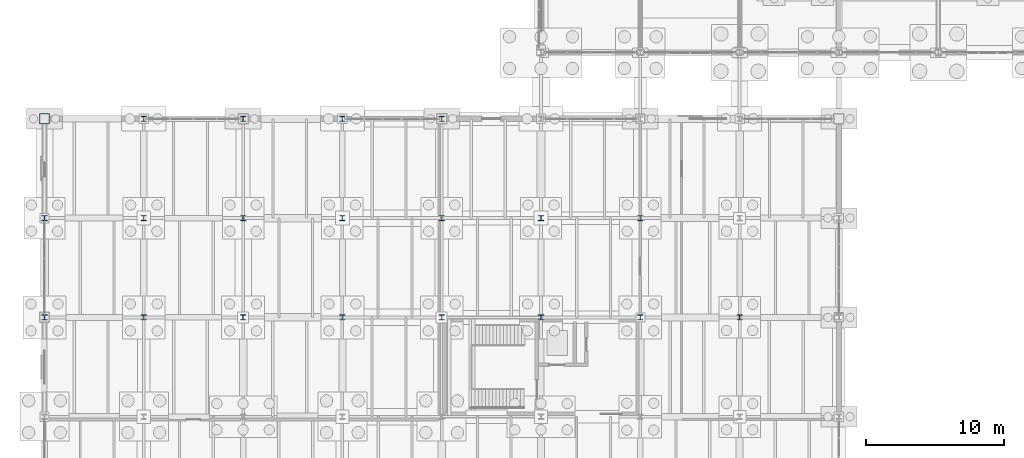
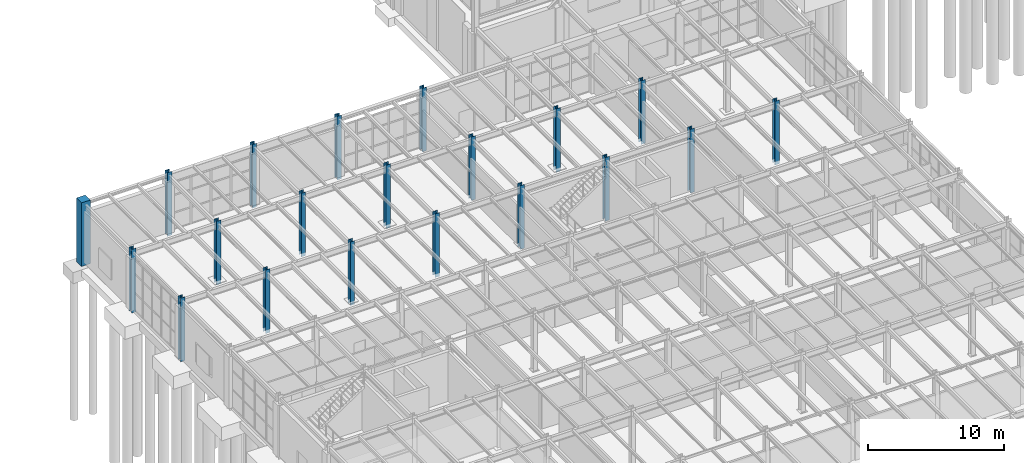
# One storey, part 22 of 293: 20 columns.
"""IFC4 building model written with IfcOpenShell, lengths in metres."""

from ifc_helpers import new_model, si_unit, direction, frame, origin, origin_2d, place, context, subcontext, project, spatial, rectangle, i_section, extrude, material, material_profile, profile_set, type_object, element, save


model = new_model("IFC4")

# Units and contexts
model_context = context("Model", 3, precision=1e-05, world=origin(), true_north=direction((0.0, 1.0)))
body_context = subcontext(model_context, "Body", "Model", "MODEL_VIEW")
ifc_project = project(units=[si_unit("LENGTHUNIT", "METRE"), si_unit("AREAUNIT", "SQUARE_METRE"), si_unit("VOLUMEUNIT", "CUBIC_METRE"), si_unit("PLANEANGLEUNIT", "RADIAN"), si_unit("MASSUNIT", "GRAM", prefix="KILO")], contexts=[model_context])

# Site, building, storey
site_placement = place(None, origin())
site = spatial("IfcSite", under=ifc_project, at=site_placement, CompositionType="ELEMENT")
building_placement = place(site_placement, origin())
building = spatial("IfcBuilding", under=site, at=building_placement, Name="Kemerveld Promenade Tramway Depot", CompositionType="ELEMENT")
storey_placement = place(building_placement, origin())
storey = spatial("IfcBuildingStorey", under=building, at=storey_placement, Name="L00", CompositionType="ELEMENT", Elevation=0.0)

# Columns
ifc_material_1 = material(Name="Concrete C40/50", Category="concrete")
ifc_material_profile_1 = material_profile(ifc_material_1, rectangle(XDim=0.75, YDim=0.75, at=origin_2d()), Name="RC-COL-750x750")
ifc_profile_set_1 = profile_set([ifc_material_profile_1], Name="Concrete C40/50")
column_type_1 = type_object("IfcColumnType", Name="COL-RC2", PredefinedType="COLUMN", material=ifc_profile_set_1)
column_placement = place(storey_placement, frame((0.0, 79.199951171875, -0.300048828125), z_axis=(0.0, 0.0, 1.0), x_axis=(1.0, 0.0, 0.0)))
element("IfcColumn", 1, at=column_placement, inside=storey, type_object=column_type_1, Name="COL-L00-01-M", PredefinedType="COLUMN", context=body_context, shape_type="SweptSolid", body=[
    extrude(rectangle(XDim=0.75, YDim=0.75, at=origin_2d()), origin(), (0.0, 0.0, 1.0), 5.699951171875),
])
ifc_material_2 = material(Name="Steel S355", Category="steel")
ifc_material_profile_2 = material_profile(ifc_material_2, i_section(OverallWidth=0.37255859375, OverallDepth=0.3681640625, WebThickness=0.014404296875, FlangeThickness=0.023681640625, FilletRadius=0.01513671875, at=origin_2d()), Name="356x368x177 UC")
ifc_profile_set_2 = profile_set([ifc_material_profile_2], Name="Steel S355")
column_type_2 = type_object("IfcColumnType", Name="COL-S03", PredefinedType="COLUMN", material=ifc_profile_set_2)
for number, where, z_axis, x_axis, name in (
    (2, (0.0, 64.800048828125, -0.300048828125), (0.0, 0.0, 1.0), (1.0, 0.0, 0.0), "COL-L00-01-K"),
    (3, (0.0, 72.0, -0.300048828125), (0.0, 0.0, 1.0), (1.0, 0.0, 0.0), "COL-L00-01-L"),
    (4, (7.199951171875, 64.800048828125, -0.300048828125), (0.0, 0.0, 1.0), (1.0, 0.0, 0.0), "COL-L00-02-K"),
    (5, (7.199951171875, 72.0, -0.300048828125), (0.0, 0.0, 1.0), (1.0, 0.0, 0.0), "COL-L00-02-L"),
    (6, (7.199951171875, 79.199951171875, -0.300048828125), (0.0, 0.0, 1.0), (1.0, 0.0, 0.0), "COL-L00-02-M"),
    (7, (14.39990234375, 64.800048828125, -0.300048828125), (0.0, 0.0, 1.0), (1.0, 0.0, 0.0), "COL-L00-03-K"),
    (8, (14.39990234375, 72.0, -0.300048828125), (0.0, 0.0, 1.0), (1.0, 0.0, 0.0), "COL-L00-03-L"),
    (9, (14.39990234375, 79.199951171875, -0.300048828125), (0.0, 0.0, 1.0), (1.0, 0.0, 0.0), "COL-L00-03-M"),
    (10, (21.60009765625, 64.800048828125, -0.300048828125), (0.0, 0.0, 1.0), (1.0, 0.0, 0.0), "COL-L00-04-K"),
    (11, (21.60009765625, 72.0, -0.300048828125), (0.0, 0.0, 1.0), (1.0, 0.0, 0.0), "COL-L00-04-L"),
    (12, (21.60009765625, 79.199951171875, -0.300048828125), (0.0, 0.0, 1.0), (1.0, 0.0, 0.0), "COL-L00-04-M"),
    (13, (28.800048828125, 64.800048828125, -0.300048828125), (0.0, 0.0, 1.0), (1.0, 0.0, 0.0), "COL-L00-05-K"),
    (14, (28.800048828125, 72.0, -0.300048828125), (0.0, 0.0, 1.0), (1.0, 0.0, 0.0), "COL-L00-05-L"),
    (15, (28.800048828125, 79.199951171875, -0.300048828125), (0.0, 0.0, 1.0), (1.0, 0.0, 0.0), "COL-L00-05-M"),
    (16, (36.0, 64.800048828125, -0.300048828125), (0.0, 0.0, 1.0), (1.0, 0.0, 0.0), "COL-L00-06-K"),
    (17, (36.0, 72.0, -0.300048828125), (0.0, 0.0, 1.0), (1.0, 0.0, 0.0), "COL-L00-06-L"),
    (18, (43.199951171875, 64.800048828125, -0.300048828125), (0.0, 0.0, 1.0), (1.0, 0.0, 0.0), "COL-L00-07-K"),
    (19, (43.199951171875, 72.0, -0.300048828125), (0.0, 0.0, 1.0), (1.0, 0.0, 0.0), "COL-L00-07-L"),
    (20, (50.39990234375, 64.800048828125, -0.300048828125), (0.0, 0.0, 1.0), (1.0, 0.0, 0.0), "COL-L00-08-K"),
):
    element("IfcColumn", number, at=place(storey_placement, frame(where, z_axis=z_axis, x_axis=x_axis)), inside=storey, type_object=column_type_2, Name=name, PredefinedType="COLUMN", context=body_context, shape_type="SweptSolid", body=[
        extrude(i_section(OverallWidth=0.37255859375, OverallDepth=0.3681640625, WebThickness=0.014404296875, FlangeThickness=0.023681640625, FilletRadius=0.01513671875, at=origin_2d()), origin(), (0.0, 0.0, 1.0), 5.699951171875),
    ])

save(model, "model.ifc")
